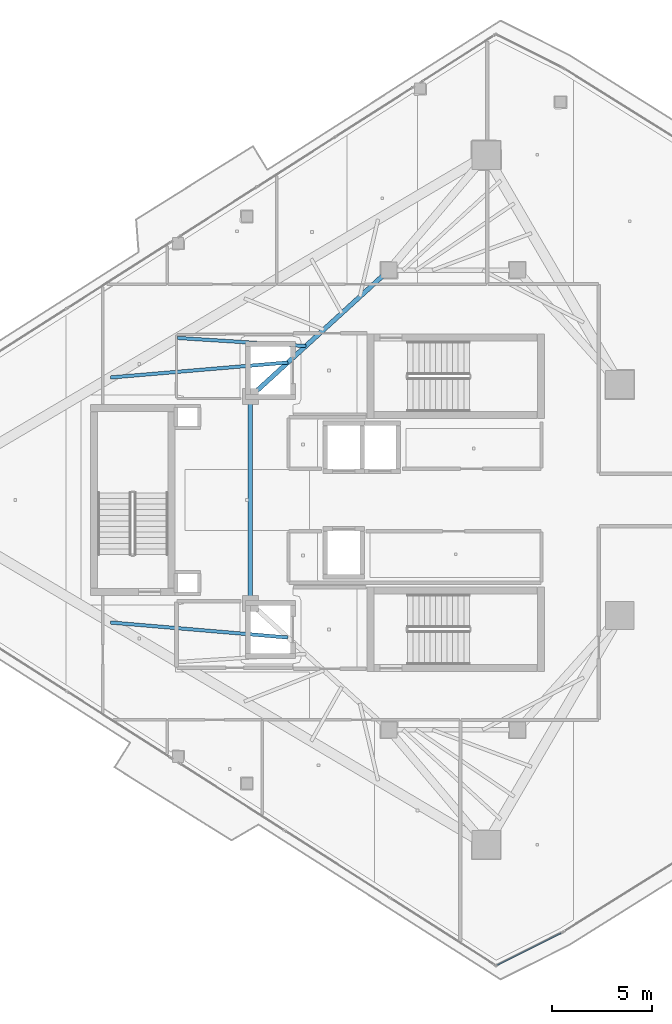
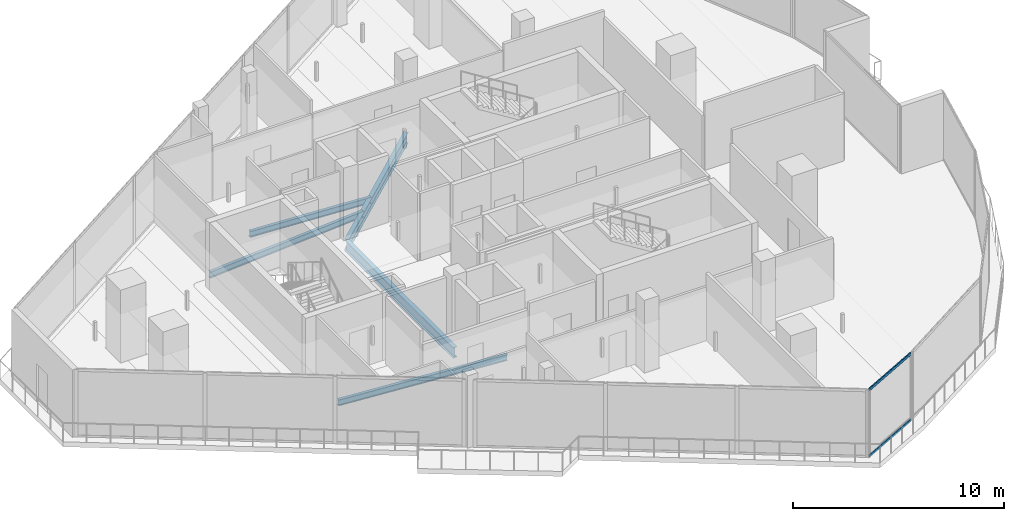
# One storey, part 7 of 27: 5 beams, 2 members, 1 element without a shape of its own.
"""IFC4 building model written with IfcOpenShell, lengths in metres."""

import ifcopenshell
import ifcopenshell.guid

model = None  # the IFC model being written
_history = None  # IfcOwnerHistory: only IFC2X3 demands one
_inside = {}  # id of a spatial element -> (the spatial element, [elements in it])
_under = {}  # id of a project, library or spatial element -> (it, [spatial elements below it])
_declared = {}  # id of a project -> (the project, [libraries it declares])
_typed = {}  # id of a type object -> (the type object, [elements of that type])
_made_of = {}  # id of a material, layer set ... -> (it, [elements and type objects made of it])


def new_model(schema):
    """Start an empty IFC model of exactly this schema.

    Asked for "IFC4X3", IfcOpenShell would pick the latest addendum, in which some entities
    have other attributes; the version numbers below select the first issue.
    IFC2X3 requires an IfcOwnerHistory on every rooted entity: one is made here for all.
    """
    global model, _history
    if schema == "IFC4X3":
        model = ifcopenshell.file(schema_version=(4, 3, 0, 0))
    else:
        model = ifcopenshell.file(schema=schema)
    _inside.clear()
    _under.clear()
    _declared.clear()
    _typed.clear()
    _made_of.clear()
    _history = None
    if model.schema == "IFC2X3":
        org = make("IfcOrganization", Name="unknown")
        user = make(
            "IfcPersonAndOrganization",
            ThePerson=make("IfcPerson", FamilyName="unknown"),
            TheOrganization=org,
        )
        app = make(
            "IfcApplication",
            ApplicationDeveloper=org,
            Version="unknown",
            ApplicationFullName="unknown",
            ApplicationIdentifier="unknown",
        )
        _history = make(
            "IfcOwnerHistory",
            OwningUser=user,
            OwningApplication=app,
            ChangeAction="ADDED",
            CreationDate=0,
        )
    return model


def make(cls, **values):
    """One entity of the class cls with the attributes given. An attribute that is None is left unset."""
    return model.create_entity(
        cls, **{name: value for name, value in values.items() if value is not None}
    )


def rooted(cls, **values):
    """An entity with a GlobalId (a new one), such as an element, a storey or a relation."""
    return make(cls, GlobalId=ifcopenshell.guid.new(), OwnerHistory=_history, **values)


def si_unit(unit_type, name, prefix=None):
    """IfcSIUnit, for example si_unit("LENGTHUNIT", "METRE", prefix="MILLI")."""
    return make("IfcSIUnit", UnitType=unit_type, Prefix=prefix, Name=name)


def assignment(units):
    """IfcUnitAssignment: the units of a project."""
    return None if units is None else make("IfcUnitAssignment", Units=units)


def point(xyz):
    """IfcCartesianPoint."""
    return None if xyz is None else make("IfcCartesianPoint", Coordinates=xyz)


def direction(xyz):
    """IfcDirection."""
    return None if xyz is None else make("IfcDirection", DirectionRatios=xyz)


def frame(location, z_axis=None, x_axis=None):
    """IfcAxis2Placement3D, a coordinate frame: its origin and axes. An axis left out is left unset."""
    return make(
        "IfcAxis2Placement3D",
        Location=point(location),
        Axis=direction(z_axis),
        RefDirection=direction(x_axis),
    )


def frame_2d(location, x_axis=None):
    """IfcAxis2Placement2D, a coordinate frame in the plane: its origin and x axis."""
    return make(
        "IfcAxis2Placement2D", Location=point(location), RefDirection=direction(x_axis)
    )


def origin():
    """The frame at (0, 0, 0) with its axes left unset."""
    return frame((0.0, 0.0, 0.0))


def origin_2d():
    """The frame at (0, 0) in the plane with its x axis left unset."""
    return frame_2d((0.0, 0.0))


def place(relative_to, where):
    """IfcLocalPlacement: puts the frame where relative to a parent placement (None: the world)."""
    return make(
        "IfcLocalPlacement", PlacementRelTo=relative_to, RelativePlacement=where
    )


def context(
    kind, dimensions, precision=None, world=None, true_north=None, identifier=None
):
    """IfcGeometricRepresentationContext, for example the 3D "Model" context."""
    return make(
        "IfcGeometricRepresentationContext",
        ContextIdentifier=identifier,
        ContextType=kind,
        CoordinateSpaceDimension=dimensions,
        Precision=precision,
        WorldCoordinateSystem=world,
        TrueNorth=true_north,
    )


def subcontext(parent, identifier, kind, view, scale=None):
    """IfcGeometricRepresentationSubContext, for example "Body" below "Model"."""
    return make(
        "IfcGeometricRepresentationSubContext",
        ContextIdentifier=identifier,
        ContextType=kind,
        ParentContext=parent,
        TargetScale=scale,
        TargetView=view,
    )


def project(units=None, contexts=None):
    """IfcProject with its units and contexts."""
    return rooted(
        "IfcProject",
        Name="project",
        RepresentationContexts=contexts,
        UnitsInContext=assignment(units),
    )


def spatial(cls, under=None, at=None, **own):
    """A site, building, storey or space (cls), placed at a placement, below another one or the project."""
    s = rooted(cls, ObjectPlacement=at, **own)
    if under is not None:
        _under.setdefault(under.id(), (under, []))[1].append(s)
    return s


def profile(cls, at=None, kind="AREA", **sizes):
    """A parametric profile (cls). Its sizes go by their IFC names, for example OverallWidth=200.0."""
    return make(cls, ProfileType=kind, Position=at, **sizes)


def hollow_rectangle(**sizes):
    """IfcRectangleHollowProfileDef."""
    return profile("IfcRectangleHollowProfileDef", **sizes)


def i_section(**sizes):
    """IfcIShapeProfileDef."""
    return profile("IfcIShapeProfileDef", **sizes)


def extrude(swept, where, along, depth):
    """IfcExtrudedAreaSolid: the profile swept, set in the frame where, extruded along a direction by depth."""
    return make(
        "IfcExtrudedAreaSolid",
        SweptArea=swept,
        Position=where,
        ExtrudedDirection=direction(along),
        Depth=depth,
    )


def shape(context_of_items, identifier, shape_type, items):
    """IfcShapeRepresentation: the items that make up one representation, for example the "Body"."""
    return make(
        "IfcShapeRepresentation",
        ContextOfItems=context_of_items,
        RepresentationIdentifier=identifier,
        RepresentationType=shape_type,
        Items=items,
    )


def material(Name=None, Category=None):
    """IfcMaterial."""
    return make("IfcMaterial", Name=Name, Category=Category)


def layer(
    of_material, thickness, ventilated=None, Name=None, Category=None, Priority=None
):
    """IfcMaterialLayer: one layer of a wall or slab, of a material (None: an air gap)."""
    return make(
        "IfcMaterialLayer",
        Material=of_material,
        LayerThickness=thickness,
        IsVentilated=ventilated,
        Name=Name,
        Category=Category,
        Priority=Priority,
    )


def layer_set(layers, Name=None):
    """IfcMaterialLayerSet."""
    return make("IfcMaterialLayerSet", MaterialLayers=layers, LayerSetName=Name)


def material_profile(
    of_material, cross_section, Name=None, Category=None, Priority=None
):
    """IfcMaterialProfile: a cross section and its material."""
    return make(
        "IfcMaterialProfile",
        Name=Name,
        Material=of_material,
        Profile=cross_section,
        Priority=Priority,
        Category=Category,
    )


def profile_set(profiles, Name=None, composite=None):
    """IfcMaterialProfileSet."""
    return make(
        "IfcMaterialProfileSet",
        Name=Name,
        MaterialProfiles=profiles,
        CompositeProfile=composite,
    )


def made_of(thing, what):
    """Note that an element or type object is made of a material, layer set ...; save() writes the relation."""
    if what is not None:
        _made_of.setdefault(what.id(), (what, []))[1].append(thing)
    return thing


def type_object(cls, material=None, **own):
    """A type object (cls), such as IfcWallType, which elements share."""
    return made_of(rooted(cls, **own), material)


def element(
    cls,
    number,
    at=None,
    inside=None,
    cuts=None,
    type_object=None,
    material=None,
    context=None,
    identifier="Body",
    shape_type=None,
    held_by="IfcProductDefinitionShape",
    body=None,
    shapes=None,
    **own,
):
    """One element of the class cls, such as IfcWall. Its Tag is "e" and its number.

    at: its placement. inside: the storey or other place that contains it. cuts: it is an
    opening in that element (IfcRelVoidsElement). A single representation is given by context,
    identifier, shape_type and body (its items); several are given by shapes. held_by: the class
    of the entity that holds the representations. save() writes the other relations.
    """
    e = rooted(cls, Tag="e%d" % number, ObjectPlacement=at, **own)
    if body is not None:
        shapes = [shape(context, identifier, shape_type, body)]
    if shapes is not None:
        e.Representation = make(held_by, Representations=shapes)
    if inside is not None:
        _inside.setdefault(inside.id(), (inside, []))[1].append(e)
    if cuts is not None:
        rooted(
            "IfcRelVoidsElement", RelatingBuildingElement=cuts, RelatedOpeningElement=e
        )
    if type_object is not None:
        _typed.setdefault(type_object.id(), (type_object, []))[1].append(e)
    return made_of(e, material)


def aggregate(whole, parts):
    """IfcRelAggregates: a whole, such as a stair, and the parts it consists of."""
    return rooted("IfcRelAggregates", RelatingObject=whole, RelatedObjects=parts)


def save(model, path):
    """Write the relations noted so far, then the file.

    IfcRelAggregates (storeys below a building ...), IfcRelContainedInSpatialStructure (elements
    in a storey), IfcRelDefinesByType, IfcRelAssociatesMaterial and IfcRelDeclares: one each for
    every whole, place, type object, material and project.
    """
    for whole, parts in _under.values():
        aggregate(whole, parts)
    for where, things in _inside.values():
        rooted(
            "IfcRelContainedInSpatialStructure",
            RelatedElements=things,
            RelatingStructure=where,
        )
    for kind, things in _typed.values():
        rooted("IfcRelDefinesByType", RelatedObjects=things, RelatingType=kind)
    for what, things in _made_of.values():
        rooted("IfcRelAssociatesMaterial", RelatedObjects=things, RelatingMaterial=what)
    for by, libraries in _declared.values():
        rooted("IfcRelDeclares", RelatingContext=by, RelatedDefinitions=libraries)
    model.write(path)


model = new_model("IFC4")

# Units and contexts
model_context = context("Model", 3, precision=1e-05, world=origin(), true_north=direction((0.0, 1.0)))
body_context = subcontext(model_context, "Body", "Model", "MODEL_VIEW")
ifc_project = project(units=[si_unit("LENGTHUNIT", "METRE"), si_unit("AREAUNIT", "SQUARE_METRE"), si_unit("VOLUMEUNIT", "CUBIC_METRE"), si_unit("PLANEANGLEUNIT", "RADIAN"), si_unit("MASSUNIT", "GRAM", prefix="KILO")], contexts=[model_context])

# Site, building, storey
site_placement = place(None, origin())
site = spatial("IfcSite", under=ifc_project, at=site_placement, CompositionType="ELEMENT")
building_placement = place(site_placement, origin())
building = spatial("IfcBuilding", under=site, at=building_placement, Name="Qorvath Tower", CompositionType="ELEMENT")
storey_placement = place(building_placement, frame((0.0, 0.0, 293.39990234375)))
storey = spatial("IfcBuildingStorey", under=building, at=storey_placement, Name="L68", CompositionType="ELEMENT", Elevation=293.39990234375)

# Beams
ifc_material_1 = material(Name="Steel ASTM A992 Grade 50", Category="steel")
ifc_material_profile_1 = material_profile(ifc_material_1, i_section(OverallWidth=0.22998046875, OverallDepth=0.616943359375, WebThickness=0.01318359375, FlangeThickness=0.022216796875, FilletRadius=0.014892578125, at=origin_2d()), Name="W24x94")
ifc_profile_set_1 = profile_set([ifc_material_profile_1], Name="Steel ASTM A992 Grade 50")
beam_type_1 = type_object("IfcBeamType", Name="BM-FG6", PredefinedType="BEAM", material=ifc_profile_set_1)
beam_1_placement = place(storey_placement, frame((-30.5, -5.14990234375, -0.598388671875), z_axis=(0.0, 1.0, 0.0), x_axis=(-1.0, 0.0, 0.0)))
element("IfcBeam", 1, at=beam_1_placement, inside=storey, type_object=beam_type_1, Name="Core Ring Girder CC6-CC5 L68", PredefinedType="BEAM", context=body_context, shape_type="SweptSolid", body=[
    extrude(i_section(OverallWidth=0.22998046875, OverallDepth=0.616943359375, WebThickness=0.01318359375, FlangeThickness=0.022216796875, FilletRadius=0.014892578125, at=origin_2d()), origin(), (0.0, 0.0, 1.0), 10.2998046875),
])
beam_2_placement = place(storey_placement, frame((-30.5, 5.14990234375, -0.598388671875), z_axis=(0.73847813985, 0.6742774184, 0.0), x_axis=(-0.6742774184, 0.73847813985, 0.0)))
element("IfcBeam", 2, at=beam_2_placement, inside=storey, type_object=beam_type_1, Name="Core Ring Girder CC5-CC1 L68", PredefinedType="BEAM", context=body_context, shape_type="SweptSolid", body=[
    extrude(i_section(OverallWidth=0.22998046875, OverallDepth=0.616943359375, WebThickness=0.01318359375, FlangeThickness=0.022216796875, FilletRadius=0.014892578125, at=origin_2d()), origin(), (0.0, 0.0, 1.0), 9.343505859375),
])
ifc_material_2 = material(Name="Steel ASTM A992 Grade 50", Category="steel")
ifc_material_profile_2 = material_profile(ifc_material_2, i_section(OverallWidth=0.1708984375, OverallDepth=0.35107421875, WebThickness=0.0068359375, FlangeThickness=0.009765625, FilletRadius=0.010009765625, at=origin_2d()), Name="W14x30")
ifc_profile_set_2 = profile_set([ifc_material_profile_2], Name="Steel ASTM A992 Grade 50")
beam_type_2 = type_object("IfcBeamType", Name="BM-FJ4", PredefinedType="JOIST", material=ifc_profile_set_2)
beam_3_placement = place(storey_placement, frame((-28.636962890625, 6.85107421875, -0.46533203125), z_axis=(-0.996436150147, -0.084350451576, 0.0), x_axis=(0.084350451576, -0.996436150147, 0.0)))
element("IfcBeam", 3, at=beam_3_placement, inside=storey, type_object=beam_type_2, Name="Composite Floor Joist NW2 L68", PredefinedType="JOIST", context=body_context, shape_type="SweptSolid", body=[
    extrude(i_section(OverallWidth=0.1708984375, OverallDepth=0.35107421875, WebThickness=0.0068359375, FlangeThickness=0.009765625, FilletRadius=0.010009765625, at=origin_2d()), origin(), (0.0, 0.0, 1.0), 8.87109375),
])
beam_4_placement = place(storey_placement, frame((-27.739990234375, 7.669921875, -0.46533203125), z_axis=(-0.998006998641, 0.063103333222, 0.0), x_axis=(-0.063103333222, -0.998006998641, 0.0)))
element("IfcBeam", 4, at=beam_4_placement, inside=storey, type_object=beam_type_2, Name="Composite Floor Joist NW3 L68", PredefinedType="JOIST", context=body_context, shape_type="SweptSolid", body=[
    extrude(i_section(OverallWidth=0.1708984375, OverallDepth=0.35107421875, WebThickness=0.0068359375, FlangeThickness=0.009765625, FilletRadius=0.010009765625, at=origin_2d()), origin(), (0.0, 0.0, 1.0), 6.41455078125),
])
beam_5_placement = place(storey_placement, frame((-28.636962890625, -6.85107421875, -0.46533203125), z_axis=(-0.996436150147, 0.084350451576, 0.0), x_axis=(-0.084350451576, -0.996436150147, 0.0)))
element("IfcBeam", 5, at=beam_5_placement, inside=storey, type_object=beam_type_2, Name="Composite Floor Joist SW2 L68", PredefinedType="JOIST", context=body_context, shape_type="SweptSolid", body=[
    extrude(i_section(OverallWidth=0.1708984375, OverallDepth=0.35107421875, WebThickness=0.0068359375, FlangeThickness=0.009765625, FilletRadius=0.010009765625, at=origin_2d()), origin(), (0.0, 0.0, 1.0), 8.87109375),
])

# Curtain wall, members
ifc_material_3 = material(Name="Anodised aluminium and triple low-E glass", Category="aluminium")
ifc_layer = layer(ifc_material_3, 0.179931640625)
ifc_layer_set = layer_set([ifc_layer], Name="CW-SYS-5")
curtain_wall_type = type_object("IfcCurtainWallType", Name="CW-SYS-5", PredefinedType="NOTDEFINED", material=ifc_layer_set)
curtain_wall_placement = place(storey_placement, origin())
curtain_wall = element("IfcCurtainWall", 6, at=curtain_wall_placement, inside=storey, type_object=curtain_wall_type, Name="Curtain Wall CW-5 CW-T-L68-3.1", PredefinedType="NOTDEFINED")
ifc_material_4 = material(Name="Anodised aluminium 6063-T6", Category="aluminium")
ifc_material_profile_3 = material_profile(ifc_material_4, hollow_rectangle(XDim=0.06494140625, YDim=0.159912109375, WallThickness=0.00341796875, InnerFilletRadius=0.00341796875, OuterFilletRadius=0.007080078125, at=origin_2d()), Name="CWT 160x65")
ifc_profile_set_3 = profile_set([ifc_material_profile_3], Name="Anodised aluminium 6063-T6")
member_type = type_object("IfcMemberType", Name="CWT-160", PredefinedType="USERDEFINED", material=ifc_profile_set_3)
member_1_placement = place(storey_placement, frame((-18.198974609375, -23.16796875, 0.032470703125), z_axis=(0.894399724252, 0.447268524779, 0.0), x_axis=(-0.447268524779, 0.894399724252, 0.0)))
member_1 = element("IfcMember", 7, at=member_1_placement, type_object=member_type, Name="CW-5 transom 1.1", ObjectType="TRANSOM", PredefinedType="USERDEFINED", context=body_context, shape_type="SweptSolid", body=[
    extrude(hollow_rectangle(XDim=0.06494140625, YDim=0.159912109375, WallThickness=0.00341796875, InnerFilletRadius=0.00341796875, OuterFilletRadius=0.007080078125, at=origin_2d()), origin(), (0.0, 0.0, 1.0), 3.5556640625),
])
member_2_placement = place(storey_placement, frame((-18.198974609375, -23.16796875, 3.877685546875), z_axis=(0.894399724252, 0.447268524779, 0.0), x_axis=(-0.447268524779, 0.894399724252, 0.0)))
member_2 = element("IfcMember", 8, at=member_2_placement, type_object=member_type, Name="CW-5 transom 1.2", ObjectType="TRANSOM", PredefinedType="USERDEFINED", context=body_context, shape_type="SweptSolid", body=[
    extrude(hollow_rectangle(XDim=0.06494140625, YDim=0.159912109375, WallThickness=0.00341796875, InnerFilletRadius=0.00341796875, OuterFilletRadius=0.007080078125, at=origin_2d()), origin(), (0.0, 0.0, 1.0), 3.5556640625),
])
aggregate(curtain_wall, [member_1, member_2])

save(model, "model.ifc")
